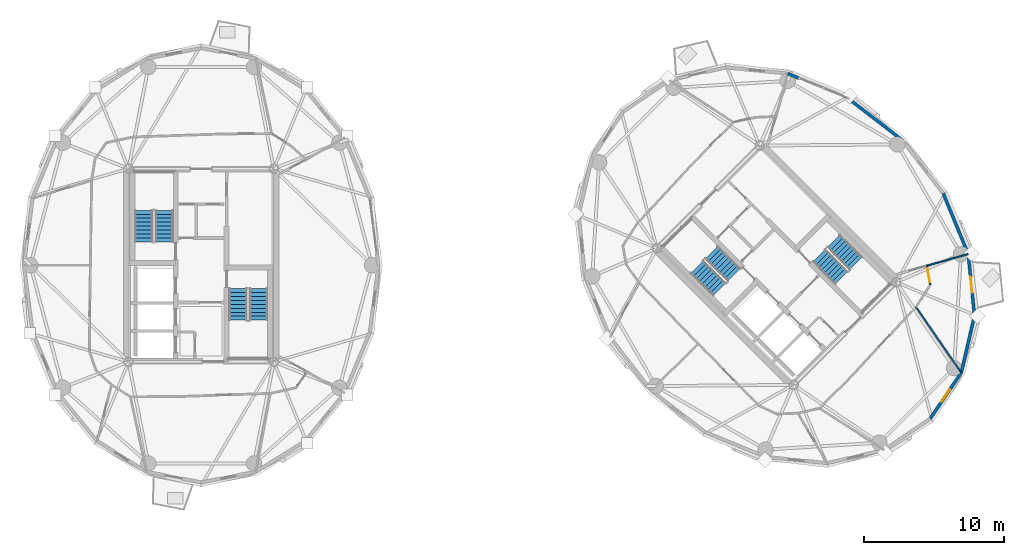
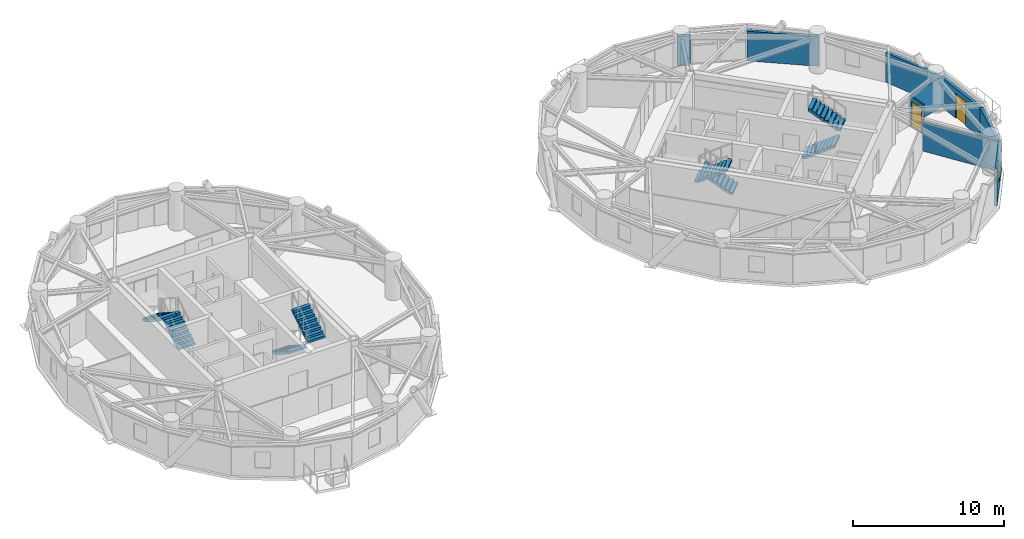
# One storey, part 12 of 15: 9 walls, 8 stair flights, 2 doors, 1 window, 3 openings, 4 elements without a shape of their own.
"""IFC4 building model written with IfcOpenShell, lengths in metres."""

from ifc_helpers import new_model, si_unit, direction, frame, frame_2d, origin, place, context, subcontext, project, spatial, polyline, rectangle, outline, extrude, source, transform, mapped, material, layer, layer_set, type_object, element, fill, aggregate, save


model = new_model("IFC4")

# Units and contexts
model_context = context("Model", 3, precision=1e-05, world=origin(), true_north=direction((0.0, 1.0)))
body_context = subcontext(model_context, "Body", "Model", "MODEL_VIEW")
ifc_project = project(units=[si_unit("LENGTHUNIT", "METRE"), si_unit("AREAUNIT", "SQUARE_METRE"), si_unit("VOLUMEUNIT", "CUBIC_METRE"), si_unit("PLANEANGLEUNIT", "RADIAN"), si_unit("MASSUNIT", "GRAM", prefix="KILO")], contexts=[model_context])

# Site, building, storey
site_placement = place(None, origin())
site = spatial("IfcSite", under=ifc_project, at=site_placement, CompositionType="ELEMENT")
building_placement = place(site_placement, origin())
building = spatial("IfcBuilding", under=site, at=building_placement, Name="Cununo Teusaquillo Station Towers", CompositionType="ELEMENT")
storey_placement = place(building_placement, frame((0.0, 0.0, 232.449951171875)))
storey = spatial("IfcBuildingStorey", under=building, at=storey_placement, Name="L74", CompositionType="ELEMENT", Elevation=232.449951171875)

# Walls
ifc_material_1 = material(Name="Precast concrete C40/50", Category="concrete")
ifc_layer_1 = layer(ifc_material_1, 0.219970703125)
ifc_layer_set_1 = layer_set([ifc_layer_1], Name="Precast concrete C40/50")
wall_type_1 = type_object("IfcWallType", Name="WL-EXT-220", PredefinedType="SOLIDWALL", material=ifc_layer_set_1)
wall_1_placement = place(storey_placement, frame((62.61328125, 36.373779296875, 0.0), z_axis=(0.0, 0.0, 1.0), x_axis=(0.791998462147, -0.610523083886, 0.0)))
element("IfcWall", 1, at=wall_1_placement, inside=storey, type_object=wall_type_1, Name="L74 Tower B Exterior Facade Wall C00", PredefinedType="SOLIDWALL", context=body_context, shape_type="SweptSolid", body=[
    extrude(rectangle(XDim=4.8203125, YDim=0.219970703125, at=frame_2d((2.41015625, 0.0))), origin(), (0.0, 0.0, 1.0), 2.402099609375),
])
wall_2_placement = place(storey_placement, frame((58.29541015625, 38.15478515625, 0.0), z_axis=(0.0, 0.0, 1.0), x_axis=(0.924515260676, -0.381145028536, 0.0)))
element("IfcWall", 2, at=wall_2_placement, inside=storey, type_object=wall_type_1, Name="L74 Tower B Column Pier Cladding Wall C01-PA", PredefinedType="SOLIDWALL", context=body_context, shape_type="SweptSolid", body=[
    extrude(rectangle(XDim=0.869873046875, YDim=0.219970703125, at=frame_2d((0.43505859375, 0.0))), origin(), (0.0, 0.0, 1.0), 2.402099609375),
])

# Wall, opening, window
wall_3_placement = place(storey_placement, frame((70.663330078125, 16.856201171875, 0.0), z_axis=(0.0, 0.0, 1.0), x_axis=(-0.559495003079, -0.828833723692, 0.0)))
wall_3 = element("IfcWall", 3, at=wall_3_placement, inside=storey, type_object=wall_type_1, Name="L74 Tower B Exterior Facade Wall C15", PredefinedType="SOLIDWALL", context=body_context, shape_type="SweptSolid", body=[
    extrude(rectangle(XDim=3.9755859375, YDim=0.219970703125, at=frame_2d((1.98779296875, 0.0))), origin(), (0.0, 0.0, 1.0), 2.402099609375),
])
shared_shape_1 = source(origin(), body_context, "Body", "SweptSolid", [
    extrude(rectangle(XDim=1.050048828125, YDim=1.300048828125, at=frame_2d((0.52490234375, 0.64990234375))), frame((0.0, 0.119873046875, 0.0), z_axis=(0.0, -1.0, 0.0), x_axis=(1.0, 0.0, 0.0)), (0.0, 0.0, 1.0), 0.239990234375),
])
opening_1_placement = place(wall_3_placement, frame((1.462890625, 0.0, 0.64990234375)))
opening_1 = element("IfcOpeningElement", 4, at=opening_1_placement, cuts=wall_3, Name="Opening WN-04", PredefinedType="OPENING", context=body_context, shape_type="MappedRepresentation", body=[
    mapped(shared_shape_1, transform((0.0, 0.0, 0.0), x_axis=(1.0, 0.0, 0.0), y_axis=(0.0, 1.0, 0.0), z_axis=(0.0, 0.0, 1.0), scale=1.0)),
])
ifc_material_2 = material(Name="Operable acoustic tinted low-E double glazing", Category="glass")
window_type = type_object("IfcWindowType", Name="WIN-BAL-1050", PartitioningType="SINGLE_PANEL", PredefinedType="WINDOW", material=ifc_material_2)
shared_shape_2 = source(origin(), body_context, "Body", "SweptSolid", [
    extrude(rectangle(XDim=1.050048828125, YDim=1.300048828125, at=frame_2d((0.52490234375, 0.64990234375))), frame((0.0, 0.030029296875, 0.0), z_axis=(0.0, -1.0, 0.0), x_axis=(1.0, 0.0, 0.0)), (0.0, 0.0, 1.0), 0.06005859375),
])
window_placement = place(opening_1_placement, origin())
window = element("IfcWindow", 5, at=window_placement, inside=storey, type_object=window_type, Name="L74 Tower B Facade Window C15", OverallHeight=1.300048828125, OverallWidth=1.050048828125, PartitioningType="SINGLE_PANEL", PredefinedType="WINDOW", context=body_context, shape_type="MappedRepresentation", body=[
    mapped(shared_shape_2, transform((0.0, 0.0, 0.0), x_axis=(1.0, 0.0, 0.0), y_axis=(0.0, 1.0, 0.0), z_axis=(0.0, 0.0, 1.0), scale=1.0)),
])
fill(opening_1, window)

# Wall
wall_4_placement = place(storey_placement, frame((71.59912109375, 20.899658203125, 0.0), z_axis=(0.0, 0.0, 1.0), x_axis=(-0.225473813158, -0.974249228678, 0.0)))
element("IfcWall", 6, at=wall_4_placement, inside=storey, type_object=wall_type_1, Name="L74 Tower B Exterior Facade Wall C16", PredefinedType="SOLIDWALL", context=body_context, shape_type="SweptSolid", body=[
    extrude(rectangle(XDim=4.150390625, YDim=0.219970703125, at=frame_2d((2.0751953125, 0.0))), origin(), (0.0, 0.0, 1.0), 2.402099609375),
])

# Wall, opening, door
wall_5_placement = place(storey_placement, frame((71.15478515625, 25.29541015625, 0.0), z_axis=(0.0, 0.0, 1.0), x_axis=(0.100570534541, -0.994929930991, 0.0)))
wall_5 = element("IfcWall", 7, at=wall_5_placement, inside=storey, type_object=wall_type_1, Name="L74 Tower B Exterior Facade Wall C17", PredefinedType="SOLIDWALL", context=body_context, shape_type="SweptSolid", body=[
    extrude(rectangle(XDim=4.418212890625, YDim=0.219970703125, at=frame_2d((2.208984375, 0.0))), origin(), (0.0, 0.0, 1.0), 2.402099609375),
])
shared_shape_3 = source(origin(), body_context, "Body", "SweptSolid", [
    extrude(rectangle(XDim=1.14990234375, YDim=2.0048828125, at=frame_2d((0.574951171875, 1.00244140625))), frame((0.0, 0.119873046875, 0.0), z_axis=(0.0, -1.0, 0.0), x_axis=(1.0, 0.0, 0.0)), (0.0, 0.0, 1.0), 0.239990234375),
])
opening_2_placement = place(wall_5_placement, frame((1.634033203125, 0.0, 0.0)))
opening_2 = element("IfcOpeningElement", 8, at=opening_2_placement, cuts=wall_5, Name="Opening ED-03", PredefinedType="OPENING", context=body_context, shape_type="MappedRepresentation", body=[
    mapped(shared_shape_3, transform((0.0, 0.0, 0.0), x_axis=(1.0, 0.0, 0.0), y_axis=(0.0, 1.0, 0.0), z_axis=(0.0, 0.0, 1.0), scale=1.0)),
])
ifc_material_3 = material(Name="Anodised dark bronze aluminium EN AW-6063-T6", Category="aluminium")
door_type_1 = type_object("IfcDoorType", Name="DR-EXT-BAL", OperationType="NOTDEFINED", PredefinedType="DOOR", material=ifc_material_3)
shared_shape_4 = source(origin(), body_context, "Body", "SweptSolid", [
    extrude(rectangle(XDim=1.14990234375, YDim=2.0048828125, at=frame_2d((0.574951171875, 1.00244140625))), frame((0.0, 0.02490234375, 0.0), z_axis=(0.0, -1.0, 0.0), x_axis=(1.0, 0.0, 0.0)), (0.0, 0.0, 1.0), 0.050048828125),
])
door_1_placement = place(opening_2_placement, origin())
door_1 = element("IfcDoor", 9, at=door_1_placement, inside=storey, type_object=door_type_1, Name="L74 Tower B Tree Balcony Door C17", OperationType="SINGLE_SWING_LEFT", OverallHeight=2.0048828125, OverallWidth=1.14990234375, PredefinedType="DOOR", context=body_context, shape_type="MappedRepresentation", body=[
    mapped(shared_shape_4, transform((0.0, 0.0, 0.0), x_axis=(1.0, 0.0, 0.0), y_axis=(0.0, 1.0, 0.0), z_axis=(0.0, 0.0, 1.0), scale=1.0)),
])
fill(opening_2, door_1)

# Wall
wall_6_placement = place(storey_placement, frame((69.373779296875, 29.61328125, 0.0), z_axis=(0.0, 0.0, 1.0), x_axis=(0.381309704956, -0.924447353237, 0.0)))
element("IfcWall", 10, at=wall_6_placement, inside=storey, type_object=wall_type_1, Name="L74 Tower B Exterior Facade Wall C18", PredefinedType="SOLIDWALL", context=body_context, shape_type="SweptSolid", body=[
    extrude(rectangle(XDim=4.670654296875, YDim=0.219970703125, at=frame_2d((2.33544921875, 0.0))), origin(), (0.0, 0.0, 1.0), 2.402099609375),
])

# Wall, opening, door
ifc_material_4 = material(Name="Fire-rated gypsum plasterboard partition assembly", Category="gypsum")
ifc_layer_2 = layer(ifc_material_4, 0.10009765625)
ifc_layer_set_2 = layer_set([ifc_layer_2], Name="Fire-rated gypsum plasterboard partition assembly")
wall_type_2 = type_object("IfcWallType", Name="WL-PART-100", PredefinedType="MOVABLE", material=ifc_layer_set_2)
wall_7_placement = place(storey_placement, frame((68.45556640625, 23.109619140625, 0.0), z_axis=(0.0, 0.0, 1.0), x_axis=(-0.1772522795, 0.984165448191, 0.0)))
wall_7 = element("IfcWall", 11, at=wall_7_placement, inside=storey, type_object=wall_type_2, Name="L74 Tower B Corridor Ring Wall C17", PredefinedType="MOVABLE", context=body_context, shape_type="SweptSolid", body=[
    extrude(rectangle(XDim=1.381591796875, YDim=0.10009765625, at=frame_2d((0.69091796875, 0.0))), origin(), (0.0, 0.0, 1.0), 2.402099609375),
])
shared_shape_5 = source(origin(), body_context, "Body", "SweptSolid", [
    extrude(rectangle(XDim=1.0, YDim=2.014892578125, at=frame_2d((0.5, 1.00732421875))), frame((0.0, 0.06005859375, 0.0), z_axis=(0.0, -1.0, 0.0), x_axis=(1.0, 0.0, 0.0)), (0.0, 0.0, 1.0), 0.1201171875),
])
opening_3_placement = place(wall_7_placement, frame((0.19091796875, 0.0, 0.0)))
opening_3 = element("IfcOpeningElement", 12, at=opening_3_placement, cuts=wall_7, Name="Opening D-AC1", PredefinedType="OPENING", context=body_context, shape_type="MappedRepresentation", body=[
    mapped(shared_shape_5, transform((0.0, 0.0, 0.0), x_axis=(1.0, 0.0, 0.0), y_axis=(0.0, 1.0, 0.0), z_axis=(0.0, 0.0, 1.0), scale=1.0)),
])
ifc_material_5 = material(Name="Acoustic solid-core hardwood leaf assembly", Category="wood")
door_type_2 = type_object("IfcDoorType", Name="DR-ACC-1000", OperationType="NOTDEFINED", PredefinedType="DOOR", material=ifc_material_5)
shared_shape_6 = source(origin(), body_context, "Body", "SweptSolid", [
    extrude(rectangle(XDim=1.0, YDim=2.014892578125, at=frame_2d((0.5, 1.00732421875))), frame((0.0, 0.02490234375, 0.0), z_axis=(0.0, -1.0, 0.0), x_axis=(1.0, 0.0, 0.0)), (0.0, 0.0, 1.0), 0.050048828125),
])
door_2_placement = place(opening_3_placement, origin())
door_2 = element("IfcDoor", 13, at=door_2_placement, inside=storey, type_object=door_type_2, Name="L74 Tower B Public Accessible Restroom WC Entrance Door", OperationType="SINGLE_SWING_LEFT", OverallHeight=2.014892578125, OverallWidth=1.0, PredefinedType="DOOR", context=body_context, shape_type="MappedRepresentation", body=[
    mapped(shared_shape_6, transform((0.0, 0.0, 0.0), x_axis=(1.0, 0.0, 0.0), y_axis=(0.0, 1.0, 0.0), z_axis=(0.0, 0.0, 1.0), scale=1.0)),
])
fill(opening_3, door_2)

# Walls
wall_8_placement = place(storey_placement, frame((67.4345703125, 21.521484375, 0.0), z_axis=(0.0, 0.0, 1.0), x_axis=(0.567700677576, -0.823235045828, 0.0)))
element("IfcWall", 14, at=wall_8_placement, inside=storey, type_object=wall_type_2, Name="L74 Tower B Radial Suite Partition R05", PredefinedType="MOVABLE", context=body_context, shape_type="SweptSolid", body=[
    extrude(rectangle(XDim=5.656005859375, YDim=0.10009765625, at=frame_2d((2.828125, 0.0))), origin(), (0.0, 0.0, 1.0), 2.402099609375),
])
wall_9_placement = place(storey_placement, frame((68.210693359375, 24.46923828125, 0.0), z_axis=(0.0, 0.0, 1.0), x_axis=(0.962605107736, 0.270908483735, 0.0)))
element("IfcWall", 15, at=wall_9_placement, inside=storey, type_object=wall_type_2, Name="L74 Tower B Radial Suite Partition R06", PredefinedType="MOVABLE", context=body_context, shape_type="SweptSolid", body=[
    extrude(rectangle(XDim=3.037841796875, YDim=0.10009765625, at=frame_2d((1.51904296875, 0.0))), origin(), (0.0, 0.0, 1.0), 2.402099609375),
])

# Stair, stair flights
ifc_material_6 = material(Name="Concrete C50/60", Category="concrete")
stair_type = type_object("IfcStairType", Name="ST-TWR-1300", PredefinedType="HALF_TURN_STAIR", material=ifc_material_6)
stair_1_placement = place(storey_placement, origin())
stair_1 = element("IfcStair", 16, at=stair_1_placement, inside=storey, type_object=stair_type, Name="L74 Tower A Protected Core Exit Stair 1", PredefinedType="HALF_TURN_STAIR")
ifc_material_7 = material(Name="Concrete C50/60", Category="concrete")
stair_flight_type = type_object("IfcStairFlightType", Name="SFL-TWR-1300", PredefinedType="STRAIGHT", material=ifc_material_7)
stair_flight_1_placement = place(storey_placement, frame((13.8701171875, 26.169921875, 0.0), z_axis=(0.0, 0.0, 1.0), x_axis=(0.0, 1.0, 0.0)))
stair_flight_1 = element("IfcStairFlight", 17, at=stair_flight_1_placement, type_object=stair_flight_type, Name="ST-T1-1 flight 1", NumberOfRisers=9, NumberOfTreads=8, PredefinedType="STRAIGHT", RiserHeight=0.177777778, TreadLength=0.28, context=body_context, shape_type="SweptSolid", body=[
    extrude(outline(polyline([(0.0, 0.0), (0.0, 0.177734375), (0.280029296875, 0.177734375), (0.280029296875, 0.35546875), (0.56005859375, 0.35546875), (0.56005859375, 0.533447265625), (0.840087890625, 0.533447265625), (0.840087890625, 0.711181640625), (1.1201171875, 0.711181640625), (1.1201171875, 0.888916015625), (1.39990234375, 0.888916015625), (1.39990234375, 1.066650390625), (1.679931640625, 1.066650390625), (1.679931640625, 1.244384765625), (1.9599609375, 1.244384765625), (1.9599609375, 1.422119140625), (2.239990234375, 1.422119140625), (2.239990234375, 1.60009765625), (2.239990234375, 1.24462890625), (0.27978515625, 0.0), (0.0, 0.0)])), frame((0.0, 0.64990234375, 0.0), z_axis=(0.0, -1.0, 0.0), x_axis=(1.0, 0.0, 0.0)), (0.0, 0.0, 1.0), 1.300048828125),
])
stair_flight_2_placement = place(storey_placement, frame((12.409912109375, 28.409912109375, 1.60009765625), z_axis=(0.0, 0.0, 1.0), x_axis=(0.0, -1.0, 0.0)))
stair_flight_2 = element("IfcStairFlight", 18, at=stair_flight_2_placement, type_object=stair_flight_type, Name="ST-T1-1 flight 2", NumberOfRisers=9, NumberOfTreads=8, PredefinedType="STRAIGHT", RiserHeight=0.177777778, TreadLength=0.28, context=body_context, shape_type="SweptSolid", body=[
    extrude(outline(polyline([(0.0, 0.0), (0.0, 0.177734375), (0.280029296875, 0.177734375), (0.280029296875, 0.35546875), (0.56005859375, 0.35546875), (0.56005859375, 0.533447265625), (0.840087890625, 0.533447265625), (0.840087890625, 0.711181640625), (1.1201171875, 0.711181640625), (1.1201171875, 0.888916015625), (1.39990234375, 0.888916015625), (1.39990234375, 1.066650390625), (1.679931640625, 1.066650390625), (1.679931640625, 1.244384765625), (1.9599609375, 1.244384765625), (1.9599609375, 1.422119140625), (2.239990234375, 1.422119140625), (2.239990234375, 1.60009765625), (2.239990234375, 1.24462890625), (0.27978515625, 0.0), (0.0, 0.0)])), frame((0.0, 0.64990234375, 0.0), z_axis=(0.0, -1.0, 0.0), x_axis=(1.0, 0.0, 0.0)), (0.0, 0.0, 1.0), 1.300048828125),
])
aggregate(stair_1, [stair_flight_1, stair_flight_2])

stair_2_placement = place(storey_placement, origin())
stair_2 = element("IfcStair", 19, at=stair_2_placement, inside=storey, type_object=stair_type, Name="L74 Tower A Protected Core Exit Stair 2", PredefinedType="HALF_TURN_STAIR")
stair_flight_3_placement = place(storey_placement, frame((19.1298828125, 22.830078125, 0.0), z_axis=(0.0, 0.0, 1.0), x_axis=(0.0, -1.0, 0.0)))
stair_flight_3 = element("IfcStairFlight", 20, at=stair_flight_3_placement, type_object=stair_flight_type, Name="ST-T1-2 flight 1", NumberOfRisers=9, NumberOfTreads=8, PredefinedType="STRAIGHT", RiserHeight=0.177777778, TreadLength=0.28, context=body_context, shape_type="SweptSolid", body=[
    extrude(outline(polyline([(0.0, 0.0), (0.0, 0.177734375), (0.280029296875, 0.177734375), (0.280029296875, 0.35546875), (0.56005859375, 0.35546875), (0.56005859375, 0.533447265625), (0.840087890625, 0.533447265625), (0.840087890625, 0.711181640625), (1.1201171875, 0.711181640625), (1.1201171875, 0.888916015625), (1.39990234375, 0.888916015625), (1.39990234375, 1.066650390625), (1.679931640625, 1.066650390625), (1.679931640625, 1.244384765625), (1.9599609375, 1.244384765625), (1.9599609375, 1.422119140625), (2.239990234375, 1.422119140625), (2.239990234375, 1.60009765625), (2.239990234375, 1.24462890625), (0.27978515625, 0.0), (0.0, 0.0)])), frame((0.0, 0.64990234375, 0.0), z_axis=(0.0, -1.0, 0.0), x_axis=(1.0, 0.0, 0.0)), (0.0, 0.0, 1.0), 1.300048828125),
])
stair_flight_4_placement = place(storey_placement, frame((20.590087890625, 20.590087890625, 1.60009765625), z_axis=(0.0, 0.0, 1.0), x_axis=(0.0, 1.0, 0.0)))
stair_flight_4 = element("IfcStairFlight", 21, at=stair_flight_4_placement, type_object=stair_flight_type, Name="ST-T1-2 flight 2", NumberOfRisers=9, NumberOfTreads=8, PredefinedType="STRAIGHT", RiserHeight=0.177777778, TreadLength=0.28, context=body_context, shape_type="SweptSolid", body=[
    extrude(outline(polyline([(0.0, 0.0), (0.0, 0.177734375), (0.280029296875, 0.177734375), (0.280029296875, 0.35546875), (0.56005859375, 0.35546875), (0.56005859375, 0.533447265625), (0.840087890625, 0.533447265625), (0.840087890625, 0.711181640625), (1.1201171875, 0.711181640625), (1.1201171875, 0.888916015625), (1.39990234375, 0.888916015625), (1.39990234375, 1.066650390625), (1.679931640625, 1.066650390625), (1.679931640625, 1.244384765625), (1.9599609375, 1.244384765625), (1.9599609375, 1.422119140625), (2.239990234375, 1.422119140625), (2.239990234375, 1.60009765625), (2.239990234375, 1.24462890625), (0.27978515625, 0.0), (0.0, 0.0)])), frame((0.0, 0.64990234375, 0.0), z_axis=(0.0, -1.0, 0.0), x_axis=(1.0, 0.0, 0.0)), (0.0, 0.0, 1.0), 1.300048828125),
])
aggregate(stair_2, [stair_flight_3, stair_flight_4])

stair_3_placement = place(storey_placement, origin())
stair_3 = element("IfcStair", 22, at=stair_3_placement, inside=storey, type_object=stair_type, Name="L74 Tower B Protected Core Exit Stair 1", PredefinedType="HALF_TURN_STAIR")
stair_flight_5_placement = place(storey_placement, frame((54.45947265625, 23.8212890625, 0.0), z_axis=(0.0, 0.0, 1.0), x_axis=(-0.707106781187, 0.707106781187, 0.0)))
stair_flight_5 = element("IfcStairFlight", 23, at=stair_flight_5_placement, type_object=stair_flight_type, Name="ST-T2-1 flight 1", NumberOfRisers=9, NumberOfTreads=8, PredefinedType="STRAIGHT", RiserHeight=0.177777778, TreadLength=0.28, context=body_context, shape_type="SweptSolid", body=[
    extrude(outline(polyline([(0.0, 0.0), (0.0, 0.177734375), (0.280029296875, 0.177734375), (0.280029296875, 0.35546875), (0.56005859375, 0.35546875), (0.56005859375, 0.533447265625), (0.840087890625, 0.533447265625), (0.840087890625, 0.711181640625), (1.1201171875, 0.711181640625), (1.1201171875, 0.888916015625), (1.39990234375, 0.888916015625), (1.39990234375, 1.066650390625), (1.679931640625, 1.066650390625), (1.679931640625, 1.244384765625), (1.9599609375, 1.244384765625), (1.9599609375, 1.422119140625), (2.239990234375, 1.422119140625), (2.239990234375, 1.60009765625), (2.239990234375, 1.24462890625), (0.27978515625, 0.0), (0.0, 0.0)])), frame((0.0, 0.64990234375, 0.0), z_axis=(0.0, -1.0, 0.0), x_axis=(1.0, 0.0, 0.0)), (0.0, 0.0, 1.0), 1.300048828125),
])
stair_flight_6_placement = place(storey_placement, frame((51.84326171875, 24.372802734375, 1.60009765625), z_axis=(0.0, 0.0, 1.0), x_axis=(0.707106781187, -0.707106781187, 0.0)))
stair_flight_6 = element("IfcStairFlight", 24, at=stair_flight_6_placement, type_object=stair_flight_type, Name="ST-T2-1 flight 2", NumberOfRisers=9, NumberOfTreads=8, PredefinedType="STRAIGHT", RiserHeight=0.177777778, TreadLength=0.28, context=body_context, shape_type="SweptSolid", body=[
    extrude(outline(polyline([(0.0, 0.0), (0.0, 0.177734375), (0.280029296875, 0.177734375), (0.280029296875, 0.35546875), (0.56005859375, 0.35546875), (0.56005859375, 0.533447265625), (0.840087890625, 0.533447265625), (0.840087890625, 0.711181640625), (1.1201171875, 0.711181640625), (1.1201171875, 0.888916015625), (1.39990234375, 0.888916015625), (1.39990234375, 1.066650390625), (1.679931640625, 1.066650390625), (1.679931640625, 1.244384765625), (1.9599609375, 1.244384765625), (1.9599609375, 1.422119140625), (2.239990234375, 1.422119140625), (2.239990234375, 1.60009765625), (2.239990234375, 1.24462890625), (0.27978515625, 0.0), (0.0, 0.0)])), frame((0.0, 0.64990234375, 0.0), z_axis=(0.0, -1.0, 0.0), x_axis=(1.0, 0.0, 0.0)), (0.0, 0.0, 1.0), 1.300048828125),
])
aggregate(stair_3, [stair_flight_5, stair_flight_6])

stair_4_placement = place(storey_placement, origin())
stair_4 = element("IfcStair", 25, at=stair_4_placement, inside=storey, type_object=stair_type, Name="L74 Tower B Protected Core Exit Stair 2", PredefinedType="HALF_TURN_STAIR")
stair_flight_7_placement = place(storey_placement, frame((60.54052734375, 25.1787109375, 0.0), z_axis=(0.0, 0.0, 1.0), x_axis=(0.707106781187, -0.707106781187, 0.0)))
stair_flight_7 = element("IfcStairFlight", 26, at=stair_flight_7_placement, type_object=stair_flight_type, Name="ST-T2-2 flight 1", NumberOfRisers=9, NumberOfTreads=8, PredefinedType="STRAIGHT", RiserHeight=0.177777778, TreadLength=0.28, context=body_context, shape_type="SweptSolid", body=[
    extrude(outline(polyline([(0.0, 0.0), (0.0, 0.177734375), (0.280029296875, 0.177734375), (0.280029296875, 0.35546875), (0.56005859375, 0.35546875), (0.56005859375, 0.533447265625), (0.840087890625, 0.533447265625), (0.840087890625, 0.711181640625), (1.1201171875, 0.711181640625), (1.1201171875, 0.888916015625), (1.39990234375, 0.888916015625), (1.39990234375, 1.066650390625), (1.679931640625, 1.066650390625), (1.679931640625, 1.244384765625), (1.9599609375, 1.244384765625), (1.9599609375, 1.422119140625), (2.239990234375, 1.422119140625), (2.239990234375, 1.60009765625), (2.239990234375, 1.24462890625), (0.27978515625, 0.0), (0.0, 0.0)])), frame((0.0, 0.64990234375, 0.0), z_axis=(0.0, -1.0, 0.0), x_axis=(1.0, 0.0, 0.0)), (0.0, 0.0, 1.0), 1.300048828125),
])
stair_flight_8_placement = place(storey_placement, frame((63.15673828125, 24.627197265625, 1.60009765625), z_axis=(0.0, 0.0, 1.0), x_axis=(-0.707106781187, 0.707106781187, 0.0)))
stair_flight_8 = element("IfcStairFlight", 27, at=stair_flight_8_placement, type_object=stair_flight_type, Name="ST-T2-2 flight 2", NumberOfRisers=9, NumberOfTreads=8, PredefinedType="STRAIGHT", RiserHeight=0.177777778, TreadLength=0.28, context=body_context, shape_type="SweptSolid", body=[
    extrude(outline(polyline([(0.0, 0.0), (0.0, 0.177734375), (0.280029296875, 0.177734375), (0.280029296875, 0.35546875), (0.56005859375, 0.35546875), (0.56005859375, 0.533447265625), (0.840087890625, 0.533447265625), (0.840087890625, 0.711181640625), (1.1201171875, 0.711181640625), (1.1201171875, 0.888916015625), (1.39990234375, 0.888916015625), (1.39990234375, 1.066650390625), (1.679931640625, 1.066650390625), (1.679931640625, 1.244384765625), (1.9599609375, 1.244384765625), (1.9599609375, 1.422119140625), (2.239990234375, 1.422119140625), (2.239990234375, 1.60009765625), (2.239990234375, 1.24462890625), (0.27978515625, 0.0), (0.0, 0.0)])), frame((0.0, 0.64990234375, 0.0), z_axis=(0.0, -1.0, 0.0), x_axis=(1.0, 0.0, 0.0)), (0.0, 0.0, 1.0), 1.300048828125),
])
aggregate(stair_4, [stair_flight_7, stair_flight_8])

save(model, "model.ifc")
